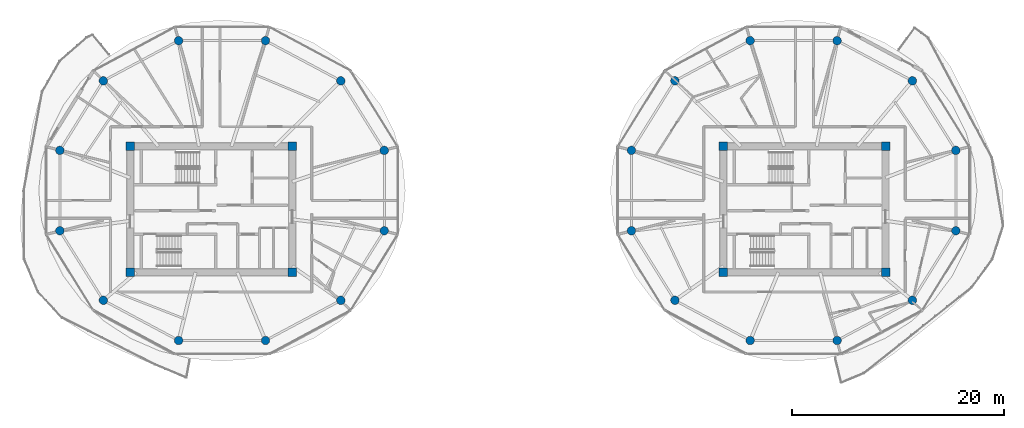
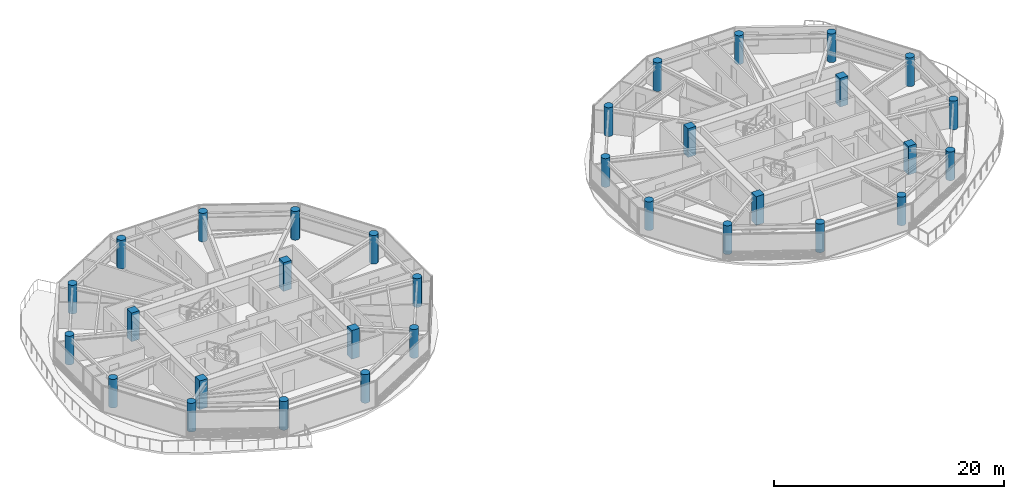
# One storey, part 1 of 23: 32 columns.
"""IFC4 building model written with IfcOpenShell, lengths in metres."""

from ifc_helpers import new_model, si_unit, direction, frame, origin, origin_2d, place, context, subcontext, project, spatial, rectangle, circle, extrude, source, transform, mapped, material, material_profile, profile_set, type_object, type_shapes, element, save


model = new_model("IFC4")

# Units and contexts
model_context = context("Model", 3, precision=1e-05, world=origin(), true_north=direction((0.0, 1.0)))
body_context = subcontext(model_context, "Body", "Model", "MODEL_VIEW")
ifc_project = project(units=[si_unit("LENGTHUNIT", "METRE"), si_unit("AREAUNIT", "SQUARE_METRE"), si_unit("VOLUMEUNIT", "CUBIC_METRE"), si_unit("PLANEANGLEUNIT", "RADIAN"), si_unit("MASSUNIT", "GRAM", prefix="KILO")], contexts=[model_context])

# Site, building, storey
site_placement = place(None, origin())
site = spatial("IfcSite", under=ifc_project, at=site_placement, CompositionType="ELEMENT")
building_placement = place(site_placement, origin())
building = spatial("IfcBuilding", under=site, at=building_placement, Name="Norrkilde Senior Care Towers", CompositionType="ELEMENT")
storey_placement = place(building_placement, frame((0.0, 0.0, 164.800048828125)))
storey = spatial("IfcBuildingStorey", under=building, at=storey_placement, Name="L51", CompositionType="ELEMENT", Elevation=164.800048828125)

# Columns
ifc_material_1 = material(Name="Concrete C60/75", Category="concrete")
ifc_material_profile_1 = material_profile(ifc_material_1, rectangle(XDim=0.800048828125, YDim=0.800048828125, at=origin_2d()), Name="RC COL 800x800")
ifc_profile_set_1 = profile_set([ifc_material_profile_1], Name="Concrete C60/75")
column_type_1 = type_object("IfcColumnType", Name="Column Core Corner Z3-Z4 800", PredefinedType="COLUMN", material=ifc_profile_set_1)
shared_shape_1 = source(origin(), body_context, "Body", "SweptSolid", [
    extrude(rectangle(XDim=0.800048828125, YDim=0.800048828125, at=origin_2d()), origin(), (0.0, 0.0, 1.0), 3.050048828125),
])
type_shapes(column_type_1, [shared_shape_1])
for number, where, z_axis, x_axis, name in (
    (1, (-35.64990234375, -5.949951171875, 0.0), (0.0, 0.0, 1.0), (1.0, 0.0, 0.0), "L51 Core W Corner Column 1"),
    (2, (-20.35009765625, -5.949951171875, 0.0), (0.0, 0.0, 1.0), (1.0, 0.0, 0.0), "L51 Core W Corner Column 2"),
    (3, (-20.35009765625, 5.949951171875, 0.0), (0.0, 0.0, 1.0), (1.0, 0.0, 0.0), "L51 Core W Corner Column 3"),
    (4, (-35.64990234375, 5.949951171875, 0.0), (0.0, 0.0, 1.0), (1.0, 0.0, 0.0), "L51 Core W Corner Column 4"),
    (5, (20.35009765625, -5.949951171875, 0.0), (0.0, 0.0, 1.0), (1.0, 0.0, 0.0), "L51 Core E Corner Column 1"),
    (6, (35.64990234375, -5.949951171875, 0.0), (0.0, 0.0, 1.0), (1.0, 0.0, 0.0), "L51 Core E Corner Column 2"),
    (7, (35.64990234375, 5.949951171875, 0.0), (0.0, 0.0, 1.0), (1.0, 0.0, 0.0), "L51 Core E Corner Column 3"),
    (8, (20.35009765625, 5.949951171875, 0.0), (0.0, 0.0, 1.0), (1.0, 0.0, 0.0), "L51 Core E Corner Column 4"),
):
    element("IfcColumn", number, at=place(storey_placement, frame(where, z_axis=z_axis, x_axis=x_axis)), inside=storey, type_object=column_type_1, Name=name, PredefinedType="COLUMN", context=body_context, shape_type="MappedRepresentation", body=[
        mapped(shared_shape_1, transform((0.0, 0.0, 0.0), x_axis=(1.0, 0.0, 0.0), y_axis=(0.0, 1.0, 0.0), z_axis=(0.0, 0.0, 1.0), scale=1.0)),
    ])
ifc_material_2 = material(Name="Concrete C50/60", Category="concrete")
ifc_material_profile_2 = material_profile(ifc_material_2, circle(Radius=0.39990234375, at=origin_2d()), Name="RC CIR 800")
ifc_profile_set_2 = profile_set([ifc_material_profile_2], Name="Concrete C50/60")
column_type_2 = type_object("IfcColumnType", Name="Column Perimeter Z3 800", PredefinedType="COLUMN", material=ifc_profile_set_2)
shared_shape_2 = source(origin(), body_context, "Body", "SweptSolid", [
    extrude(circle(Radius=0.39990234375, at=origin_2d()), origin(), (0.0, 0.0, 1.0), 3.050048828125),
])
type_shapes(column_type_2, [shared_shape_2])
for number, where, z_axis, x_axis, name in (
    (9, (-11.6650390625, 5.567138671875, 0.0), (0.0, 0.0, 1.0), (1.0, 0.0, 0.0), "L51 Drum W Perimeter Column 01"),
    (10, (-15.767333984375, 12.134521484375, 0.0), (0.0, 0.0, 1.0), (1.0, 0.0, 0.0), "L51 Drum W Perimeter Column 02"),
    (11, (-22.872802734375, 15.92626953125, 0.0), (0.0, 0.0, 1.0), (1.0, 0.0, 0.0), "L51 Drum W Perimeter Column 03"),
    (12, (-31.077392578125, 15.92626953125, 0.0), (0.0, 0.0, 1.0), (1.0, 0.0, 0.0), "L51 Drum W Perimeter Column 04"),
    (13, (-38.1826171875, 12.134521484375, 0.0), (0.0, 0.0, 1.0), (1.0, 0.0, 0.0), "L51 Drum W Perimeter Column 05"),
    (14, (-42.284912109375, 5.567138671875, 0.0), (0.0, 0.0, 1.0), (1.0, 0.0, 0.0), "L51 Drum W Perimeter Column 06"),
    (15, (-42.284912109375, -2.016357421875, 0.0), (0.0, 0.0, 1.0), (1.0, 0.0, 0.0), "L51 Drum W Perimeter Column 07"),
    (16, (-38.1826171875, -8.583740234375, 0.0), (0.0, 0.0, 1.0), (1.0, 0.0, 0.0), "L51 Drum W Perimeter Column 08"),
    (17, (-31.077392578125, -12.37548828125, 0.0), (0.0, 0.0, 1.0), (1.0, 0.0, 0.0), "L51 Drum W Perimeter Column 09"),
    (18, (-22.872802734375, -12.37548828125, 0.0), (0.0, 0.0, 1.0), (1.0, 0.0, 0.0), "L51 Drum W Perimeter Column 10"),
    (19, (-15.767333984375, -8.583740234375, 0.0), (0.0, 0.0, 1.0), (1.0, 0.0, 0.0), "L51 Drum W Perimeter Column 11"),
    (20, (-11.6650390625, -2.016357421875, 0.0), (0.0, 0.0, 1.0), (1.0, 0.0, 0.0), "L51 Drum W Perimeter Column 12"),
    (21, (42.284912109375, 5.567138671875, 0.0), (0.0, 0.0, 1.0), (1.0, 0.0, 0.0), "L51 Drum E Perimeter Column 01"),
    (22, (38.1826171875, 12.134521484375, 0.0), (0.0, 0.0, 1.0), (1.0, 0.0, 0.0), "L51 Drum E Perimeter Column 02"),
    (23, (31.077392578125, 15.92626953125, 0.0), (0.0, 0.0, 1.0), (1.0, 0.0, 0.0), "L51 Drum E Perimeter Column 03"),
    (24, (22.872802734375, 15.92626953125, 0.0), (0.0, 0.0, 1.0), (1.0, 0.0, 0.0), "L51 Drum E Perimeter Column 04"),
    (25, (15.767333984375, 12.134521484375, 0.0), (0.0, 0.0, 1.0), (1.0, 0.0, 0.0), "L51 Drum E Perimeter Column 05"),
    (26, (11.6650390625, 5.567138671875, 0.0), (0.0, 0.0, 1.0), (1.0, 0.0, 0.0), "L51 Drum E Perimeter Column 06"),
    (27, (11.6650390625, -2.016357421875, 0.0), (0.0, 0.0, 1.0), (1.0, 0.0, 0.0), "L51 Drum E Perimeter Column 07"),
    (28, (15.767333984375, -8.583740234375, 0.0), (0.0, 0.0, 1.0), (1.0, 0.0, 0.0), "L51 Drum E Perimeter Column 08"),
    (29, (22.872802734375, -12.37548828125, 0.0), (0.0, 0.0, 1.0), (1.0, 0.0, 0.0), "L51 Drum E Perimeter Column 09"),
    (30, (31.077392578125, -12.37548828125, 0.0), (0.0, 0.0, 1.0), (1.0, 0.0, 0.0), "L51 Drum E Perimeter Column 10"),
    (31, (38.1826171875, -8.583740234375, 0.0), (0.0, 0.0, 1.0), (1.0, 0.0, 0.0), "L51 Drum E Perimeter Column 11"),
    (32, (42.284912109375, -2.016357421875, 0.0), (0.0, 0.0, 1.0), (1.0, 0.0, 0.0), "L51 Drum E Perimeter Column 12"),
):
    element("IfcColumn", number, at=place(storey_placement, frame(where, z_axis=z_axis, x_axis=x_axis)), inside=storey, type_object=column_type_2, Name=name, PredefinedType="COLUMN", context=body_context, shape_type="MappedRepresentation", body=[
        mapped(shared_shape_2, transform((0.0, 0.0, 0.0), x_axis=(1.0, 0.0, 0.0), y_axis=(0.0, 1.0, 0.0), z_axis=(0.0, 0.0, 1.0), scale=1.0)),
    ])

save(model, "model.ifc")
